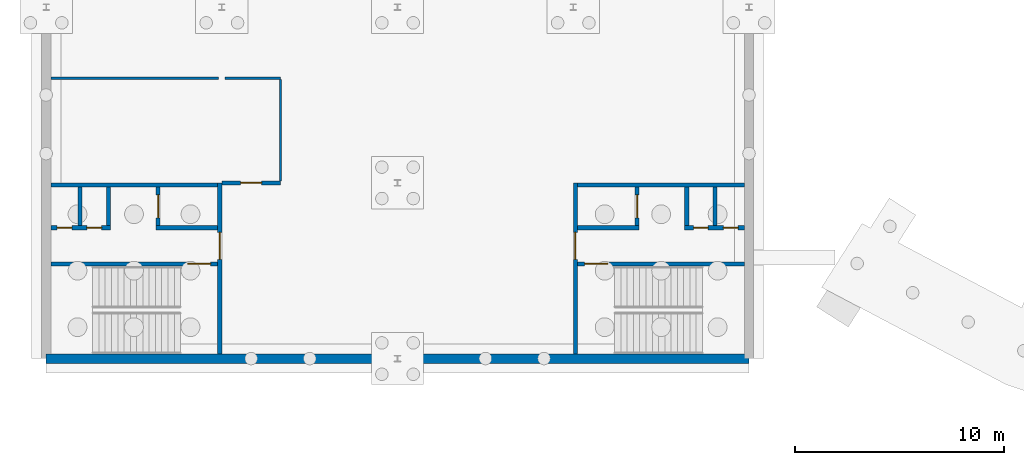
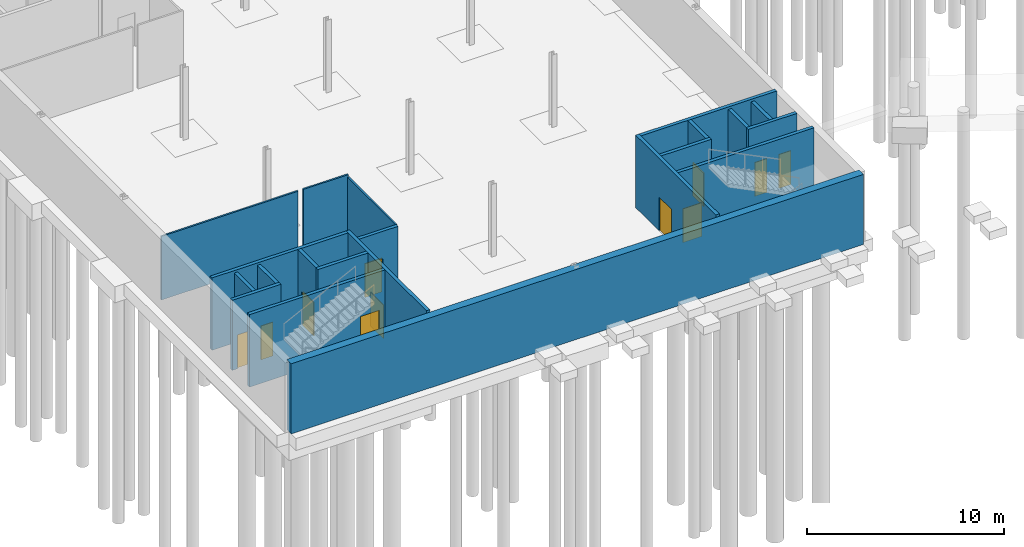
# One storey, part 19 of 35: 21 walls, 11 doors, 11 openings.
"""IFC4 building model written with IfcOpenShell, lengths in metres."""

from ifc_helpers import new_model, si_unit, direction, frame, frame_2d, origin, place, context, subcontext, project, spatial, rectangle, extrude, material, layer, layer_set, type_object, element, fill, save


model = new_model("IFC4")

# Units and contexts
model_context = context("Model", 3, precision=1e-05, world=origin(), true_north=direction((0.0, 1.0)))
body_context = subcontext(model_context, "Body", "Model", "MODEL_VIEW")
ifc_project = project(units=[si_unit("LENGTHUNIT", "METRE"), si_unit("AREAUNIT", "SQUARE_METRE"), si_unit("VOLUMEUNIT", "CUBIC_METRE"), si_unit("PLANEANGLEUNIT", "RADIAN"), si_unit("MASSUNIT", "GRAM", prefix="KILO")], contexts=[model_context])

# Site, building, storey
site_placement = place(None, origin())
site = spatial("IfcSite", under=ifc_project, at=site_placement, CompositionType="ELEMENT")
building_placement = place(site_placement, origin())
building = spatial("IfcBuilding", under=site, at=building_placement, Name="Ardhachandra Cancer Care Centre", CompositionType="ELEMENT")
storey_placement = place(building_placement, frame((0.0, 0.0, -4.5)))
storey = spatial("IfcBuildingStorey", under=building, at=storey_placement, Name="B1", CompositionType="ELEMENT", Elevation=-4.5)

# Wall, opening, door
ifc_material_1 = material(Name="Gypsum board corridor partition on steel studs", Category="steel")
ifc_layer_1 = layer(ifc_material_1, 0.199951171875)
ifc_layer_set_1 = layer_set([ifc_layer_1], Name="Gypsum board corridor partition on steel studs")
wall_type_1 = type_object("IfcWallType", Name="CORRIDOR WALL 200 EI 120", PredefinedType="PARTITIONING", material=ifc_layer_set_1)
wall_1_placement = place(storey_placement, frame((19.199951171875, 37.800048828125, 0.0), z_axis=(0.0, 0.0, 1.0), x_axis=(1.0, 0.0, 0.0)))
wall_1 = element("IfcWall", 1, at=wall_1_placement, inside=storey, type_object=wall_type_1, Name="R/wall/B1/h0037800_0019200", PredefinedType="PARTITIONING", context=body_context, shape_type="SweptSolid", body=[
    extrude(rectangle(XDim=2.800048828125, YDim=0.199951171875, at=frame_2d((1.39990234375, 0.0))), origin(), (0.0, 0.0, 1.0), 3.800048828125),
])
opening_1_placement = place(wall_1_placement, frame((0.89990234375, 0.0, 0.0)))
opening_1 = element("IfcOpeningElement", 2, at=opening_1_placement, cuts=wall_1, Name="Opening B1-0001", PredefinedType="OPENING", context=body_context, shape_type="SweptSolid", body=[
    extrude(rectangle(XDim=1.0, YDim=2.10009765625, at=frame_2d((0.5, 1.050048828125))), frame((0.0, 0.10986328125, 0.0), z_axis=(0.0, -1.0, 0.0), x_axis=(1.0, 0.0, 0.0)), (0.0, 0.0, 1.0), 0.219970703125),
])
ifc_material_2 = material(Name="Steel fire door", Category="steel")
door_type_1 = type_object("IfcDoorType", Name="FIRE DOOR SINGLE 1000x2100 FD60", OperationType="NOTDEFINED", PredefinedType="DOOR", material=ifc_material_2)
door_1_placement = place(opening_1_placement, origin())
door_1 = element("IfcDoor", 3, at=door_1_placement, inside=storey, type_object=door_type_1, Name="Door B1-0001", OperationType="SINGLE_SWING_RIGHT", OverallHeight=2.10009765625, OverallWidth=1.0, PredefinedType="DOOR", context=body_context, shape_type="SweptSolid", body=[
    extrude(rectangle(XDim=1.0, YDim=2.10009765625, at=frame_2d((0.5, 1.050048828125))), frame((0.0, 0.02490234375, 0.0), z_axis=(0.0, -1.0, 0.0), x_axis=(1.0, 0.0, 0.0)), (0.0, 0.0, 1.0), 0.050048828125),
])
fill(opening_1, door_1)

ifc_material_3 = material(Name="Concrete M40", Category="concrete")
ifc_layer_2 = layer(ifc_material_3, 0.199951171875)
ifc_layer_set_2 = layer_set([ifc_layer_2], Name="Concrete M40")
wall_type_2 = type_object("IfcWallType", Name="Core wall RC 200", PredefinedType="SOLIDWALL", material=ifc_layer_set_2)
wall_2_placement = place(storey_placement, frame((19.10009765625, 29.625, 0.0), z_axis=(0.0, 0.0, 1.0), x_axis=(0.0, 1.0, 0.0)))
wall_2 = element("IfcWall", 4, at=wall_2_placement, inside=storey, type_object=wall_type_2, Name="Core wall K1 ENT", PredefinedType="SOLIDWALL", context=body_context, shape_type="SweptSolid", body=[
    extrude(rectangle(XDim=8.175048828125, YDim=0.199951171875, at=frame_2d((4.08740234375, 0.0))), origin(), (0.0, 0.0, 1.0), 4.5),
])
opening_2_placement = place(wall_2_placement, frame((4.512451171875, 0.0, 0.0)))
opening_2 = element("IfcOpeningElement", 5, at=opening_2_placement, cuts=wall_2, Name="Opening B1-K01-1", PredefinedType="OPENING", context=body_context, shape_type="SweptSolid", body=[
    extrude(rectangle(XDim=1.300048828125, YDim=2.10009765625, at=frame_2d((0.64990234375, 1.050048828125))), frame((0.0, 0.10986328125, 0.0), z_axis=(0.0, -1.0, 0.0), x_axis=(1.0, 0.0, 0.0)), (0.0, 0.0, 1.0), 0.219970703125),
])
ifc_material_4 = material(Name="Steel door set", Category="steel")
door_type_2 = type_object("IfcDoorType", Name="Core entry double door 1300x2100 FD60", OperationType="DOUBLE_DOOR_DOUBLE_SWING", PredefinedType="DOOR", material=ifc_material_4)
door_2_placement = place(opening_2_placement, origin())
door_2 = element("IfcDoor", 6, at=door_2_placement, inside=storey, type_object=door_type_2, Name="Core entry door", OperationType="DOUBLE_DOOR_DOUBLE_SWING", OverallHeight=2.10009765625, OverallWidth=1.300048828125, PredefinedType="DOOR", context=body_context, shape_type="SweptSolid", body=[
    extrude(rectangle(XDim=1.300048828125, YDim=2.10009765625, at=frame_2d((0.64990234375, 1.050048828125))), frame((0.0, 0.02490234375, 0.0), z_axis=(0.0, -1.0, 0.0), x_axis=(1.0, 0.0, 0.0)), (0.0, 0.0, 1.0), 0.050048828125),
])
fill(opening_2, door_2)

# Wall
wall_3_placement = place(storey_placement, frame((19.0, 37.699951171875, 0.0), z_axis=(0.0, 0.0, 1.0), x_axis=(-1.0, 0.0, 0.0)))
element("IfcWall", 7, at=wall_3_placement, inside=storey, type_object=wall_type_2, Name="Core wall K1 UE", PredefinedType="SOLIDWALL", context=body_context, shape_type="SweptSolid", body=[
    extrude(rectangle(XDim=7.97509765625, YDim=0.199951171875, at=frame_2d((3.987548828125, 0.0))), origin(), (0.0, 0.0, 1.0), 4.5),
])

# Wall, opening, door
wall_4_placement = place(storey_placement, frame((19.0, 33.925048828125, 0.0), z_axis=(0.0, 0.0, 1.0), x_axis=(-1.0, 0.0, 0.0)))
wall_4 = element("IfcWall", 8, at=wall_4_placement, inside=storey, type_object=wall_type_2, Name="Core wall K1 P1", PredefinedType="SOLIDWALL", context=body_context, shape_type="SweptSolid", body=[
    extrude(rectangle(XDim=7.97509765625, YDim=0.199951171875, at=frame_2d((3.987548828125, 0.0))), origin(), (0.0, 0.0, 1.0), 4.5),
])
opening_3_placement = place(wall_4_placement, frame((0.33740234375, 0.0, 0.0)))
opening_3 = element("IfcOpeningElement", 9, at=opening_3_placement, cuts=wall_4, Name="Opening B1-K01-2", PredefinedType="OPENING", context=body_context, shape_type="SweptSolid", body=[
    extrude(rectangle(XDim=1.10009765625, YDim=2.10009765625, at=frame_2d((0.550048828125, 1.050048828125))), frame((0.0, 0.10986328125, 0.0), z_axis=(0.0, -1.0, 0.0), x_axis=(1.0, 0.0, 0.0)), (0.0, 0.0, 1.0), 0.219970703125),
])
ifc_material_5 = material(Name="Steel door set", Category="steel")
door_type_3 = type_object("IfcDoorType", Name="Stair door 1100x2100 FD60S", OperationType="NOTDEFINED", PredefinedType="DOOR", material=ifc_material_5)
door_3_placement = place(opening_3_placement, origin())
door_3 = element("IfcDoor", 10, at=door_3_placement, inside=storey, type_object=door_type_3, Name="Stair door", OperationType="SINGLE_SWING_LEFT", OverallHeight=2.10009765625, OverallWidth=1.10009765625, PredefinedType="DOOR", context=body_context, shape_type="SweptSolid", body=[
    extrude(rectangle(XDim=1.10009765625, YDim=2.10009765625, at=frame_2d((0.550048828125, 1.050048828125))), frame((0.0, 0.02490234375, 0.0), z_axis=(0.0, -1.0, 0.0), x_axis=(1.0, 0.0, 0.0)), (0.0, 0.0, 1.0), 0.050048828125),
])
fill(opening_3, door_3)

# Wall
wall_5_placement = place(storey_placement, frame((19.0, 35.64990234375, 0.0), z_axis=(0.0, 0.0, 1.0), x_axis=(-1.0, 0.0, 0.0)))
element("IfcWall", 11, at=wall_5_placement, inside=storey, type_object=wall_type_2, Name="Core wall K1 P2A", PredefinedType="SOLIDWALL", context=body_context, shape_type="SweptSolid", body=[
    extrude(rectangle(XDim=2.949951171875, YDim=0.199951171875, at=frame_2d((1.47509765625, 0.0))), origin(), (0.0, 0.0, 1.0), 4.5),
])

# Wall, openings, doors
wall_6_placement = place(storey_placement, frame((13.875, 35.64990234375, 0.0), z_axis=(0.0, 0.0, 1.0), x_axis=(-1.0, 0.0, 0.0)))
wall_6 = element("IfcWall", 12, at=wall_6_placement, inside=storey, type_object=wall_type_2, Name="Core wall K1 P2B", PredefinedType="SOLIDWALL", context=body_context, shape_type="SweptSolid", body=[
    extrude(rectangle(XDim=2.85009765625, YDim=0.199951171875, at=frame_2d((1.425048828125, 0.0))), origin(), (0.0, 0.0, 1.0), 4.35009765625),
])
opening_4_placement = place(wall_6_placement, frame((0.425048828125, 0.0, 0.0)))
opening_4 = element("IfcOpeningElement", 13, at=opening_4_placement, cuts=wall_6, Name="Opening B1-K01-4", PredefinedType="OPENING", context=body_context, shape_type="SweptSolid", body=[
    extrude(rectangle(XDim=0.699951171875, YDim=2.10009765625, at=frame_2d((0.35009765625, 1.050048828125))), frame((0.0, 0.10986328125, 0.0), z_axis=(0.0, -1.0, 0.0), x_axis=(1.0, 0.0, 0.0)), (0.0, 0.0, 1.0), 0.219970703125),
])
opening_5_placement = place(wall_6_placement, frame((1.85009765625, 0.0, 0.0)))
opening_5 = element("IfcOpeningElement", 14, at=opening_5_placement, cuts=wall_6, Name="Opening B1-K01-5", PredefinedType="OPENING", context=body_context, shape_type="SweptSolid", body=[
    extrude(rectangle(XDim=0.699951171875, YDim=2.10009765625, at=frame_2d((0.35009765625, 1.050048828125))), frame((0.0, 0.10986328125, 0.0), z_axis=(0.0, -1.0, 0.0), x_axis=(1.0, 0.0, 0.0)), (0.0, 0.0, 1.0), 0.219970703125),
])
ifc_material_6 = material(Name="Steel door set", Category="steel")
door_type_4 = type_object("IfcDoorType", Name="Riser access door 700x2100 FD120S", OperationType="NOTDEFINED", PredefinedType="DOOR", material=ifc_material_6)
door_4_placement = place(opening_4_placement, origin())
door_4 = element("IfcDoor", 15, at=door_4_placement, inside=storey, type_object=door_type_4, Name="Riser access door", OperationType="SINGLE_SWING_LEFT", OverallHeight=2.10009765625, OverallWidth=0.699951171875, PredefinedType="DOOR", context=body_context, shape_type="SweptSolid", body=[
    extrude(rectangle(XDim=0.699951171875, YDim=2.10009765625, at=frame_2d((0.35009765625, 1.050048828125))), frame((0.0, 0.02490234375, 0.0), z_axis=(0.0, -1.0, 0.0), x_axis=(1.0, 0.0, 0.0)), (0.0, 0.0, 1.0), 0.050048828125),
])
fill(opening_4, door_4)
door_5_placement = place(opening_5_placement, origin())
door_5 = element("IfcDoor", 16, at=door_5_placement, inside=storey, type_object=door_type_4, Name="Riser access door", OperationType="SINGLE_SWING_RIGHT", OverallHeight=2.10009765625, OverallWidth=0.699951171875, PredefinedType="DOOR", context=body_context, shape_type="SweptSolid", body=[
    extrude(rectangle(XDim=0.699951171875, YDim=2.10009765625, at=frame_2d((0.35009765625, 1.050048828125))), frame((0.0, 0.02490234375, 0.0), z_axis=(0.0, -1.0, 0.0), x_axis=(1.0, 0.0, 0.0)), (0.0, 0.0, 1.0), 0.050048828125),
])
fill(opening_5, door_5)

# Wall, opening, door
wall_7_placement = place(storey_placement, frame((16.14990234375, 35.75, 0.0), z_axis=(0.0, 0.0, 1.0), x_axis=(0.0, 1.0, 0.0)))
wall_7 = element("IfcWall", 17, at=wall_7_placement, inside=storey, type_object=wall_type_2, Name="Core wall K1 W1", PredefinedType="SOLIDWALL", context=body_context, shape_type="SweptSolid", body=[
    extrude(rectangle(XDim=1.85009765625, YDim=0.199951171875, at=frame_2d((0.925048828125, 0.0))), origin(), (0.0, 0.0, 1.0), 4.5),
])
opening_6_placement = place(wall_7_placement, frame((0.375, 0.0, 0.0)))
opening_6 = element("IfcOpeningElement", 18, at=opening_6_placement, cuts=wall_7, Name="Opening B1-K01-3", PredefinedType="OPENING", context=body_context, shape_type="SweptSolid", body=[
    extrude(rectangle(XDim=1.10009765625, YDim=2.10009765625, at=frame_2d((0.550048828125, 1.050048828125))), frame((0.0, 0.10986328125, 0.0), z_axis=(0.0, -1.0, 0.0), x_axis=(1.0, 0.0, 0.0)), (0.0, 0.0, 1.0), 0.219970703125),
])
ifc_material_7 = material(Name="Stainless steel (grade 304)", Category="steel")
door_type_5 = type_object("IfcDoorType", Name="Lift landing door 1100x2100", OperationType="DOUBLE_DOOR_SLIDING", PredefinedType="DOOR", material=ifc_material_7)
door_6_placement = place(opening_6_placement, origin())
door_6 = element("IfcDoor", 19, at=door_6_placement, inside=storey, type_object=door_type_5, Name="Lift landing door LF-K1-1", OperationType="DOUBLE_DOOR_SLIDING", OverallHeight=2.10009765625, OverallWidth=1.10009765625, PredefinedType="DOOR", context=body_context, shape_type="SweptSolid", body=[
    extrude(rectangle(XDim=1.10009765625, YDim=2.10009765625, at=frame_2d((0.550048828125, 1.050048828125))), frame((0.0, 0.02490234375, 0.0), z_axis=(0.0, -1.0, 0.0), x_axis=(1.0, 0.0, 0.0)), (0.0, 0.0, 1.0), 0.050048828125),
])
fill(opening_6, door_6)

# Walls
for number, where, z_axis, x_axis, name in (
    (20, (13.77490234375, 35.75, 0.0), (0.0, 0.0, 1.0), (0.0, 1.0, 0.0), "Core wall K1 W2"),
    (21, (12.425048828125, 35.75, 0.0), (0.0, 0.0, 1.0), (0.0, 1.0, 0.0), "Core wall K1 DIV"),
):
    element("IfcWall", number, at=place(storey_placement, frame(where, z_axis=z_axis, x_axis=x_axis)), inside=storey, type_object=wall_type_2, Name=name, PredefinedType="SOLIDWALL", context=body_context, shape_type="SweptSolid", body=[
        extrude(rectangle(XDim=1.85009765625, YDim=0.199951171875, at=frame_2d((0.925048828125, 0.0))), origin(), (0.0, 0.0, 1.0), 4.35009765625),
    ])

# Wall, opening, door
wall_8_placement = place(storey_placement, frame((36.10009765625, 29.625, 0.0), z_axis=(0.0, 0.0, 1.0), x_axis=(0.0, 1.0, 0.0)))
wall_8 = element("IfcWall", 22, at=wall_8_placement, inside=storey, type_object=wall_type_2, Name="Core wall K2 ENT", PredefinedType="SOLIDWALL", context=body_context, shape_type="SweptSolid", body=[
    extrude(rectangle(XDim=8.175048828125, YDim=0.199951171875, at=frame_2d((4.08740234375, 0.0))), origin(), (0.0, 0.0, 1.0), 4.5),
])
opening_7_placement = place(wall_8_placement, frame((4.512451171875, 0.0, 0.0)))
opening_7 = element("IfcOpeningElement", 23, at=opening_7_placement, cuts=wall_8, Name="Opening B1-K02-1", PredefinedType="OPENING", context=body_context, shape_type="SweptSolid", body=[
    extrude(rectangle(XDim=1.300048828125, YDim=2.10009765625, at=frame_2d((0.64990234375, 1.050048828125))), frame((0.0, 0.10986328125, 0.0), z_axis=(0.0, -1.0, 0.0), x_axis=(1.0, 0.0, 0.0)), (0.0, 0.0, 1.0), 0.219970703125),
])
door_7_placement = place(opening_7_placement, origin())
door_7 = element("IfcDoor", 24, at=door_7_placement, inside=storey, type_object=door_type_2, Name="Core entry door", OperationType="DOUBLE_DOOR_DOUBLE_SWING", OverallHeight=2.10009765625, OverallWidth=1.300048828125, PredefinedType="DOOR", context=body_context, shape_type="SweptSolid", body=[
    extrude(rectangle(XDim=1.300048828125, YDim=2.10009765625, at=frame_2d((0.64990234375, 1.050048828125))), frame((0.0, 0.02490234375, 0.0), z_axis=(0.0, -1.0, 0.0), x_axis=(1.0, 0.0, 0.0)), (0.0, 0.0, 1.0), 0.050048828125),
])
fill(opening_7, door_7)

# Wall
wall_9_placement = place(storey_placement, frame((36.199951171875, 37.699951171875, 0.0), z_axis=(0.0, 0.0, 1.0), x_axis=(1.0, 0.0, 0.0)))
element("IfcWall", 25, at=wall_9_placement, inside=storey, type_object=wall_type_2, Name="Core wall K2 UE", PredefinedType="SOLIDWALL", context=body_context, shape_type="SweptSolid", body=[
    extrude(rectangle(XDim=7.97509765625, YDim=0.199951171875, at=frame_2d((3.987548828125, 0.0))), origin(), (0.0, 0.0, 1.0), 4.5),
])

# Wall, opening, door
wall_10_placement = place(storey_placement, frame((36.199951171875, 33.925048828125, 0.0), z_axis=(0.0, 0.0, 1.0), x_axis=(1.0, 0.0, 0.0)))
wall_10 = element("IfcWall", 26, at=wall_10_placement, inside=storey, type_object=wall_type_2, Name="Core wall K2 P1", PredefinedType="SOLIDWALL", context=body_context, shape_type="SweptSolid", body=[
    extrude(rectangle(XDim=7.97509765625, YDim=0.199951171875, at=frame_2d((3.987548828125, 0.0))), origin(), (0.0, 0.0, 1.0), 4.5),
])
opening_8_placement = place(wall_10_placement, frame((0.33740234375, 0.0, 0.0)))
opening_8 = element("IfcOpeningElement", 27, at=opening_8_placement, cuts=wall_10, Name="Opening B1-K02-2", PredefinedType="OPENING", context=body_context, shape_type="SweptSolid", body=[
    extrude(rectangle(XDim=1.10009765625, YDim=2.10009765625, at=frame_2d((0.550048828125, 1.050048828125))), frame((0.0, 0.10986328125, 0.0), z_axis=(0.0, -1.0, 0.0), x_axis=(1.0, 0.0, 0.0)), (0.0, 0.0, 1.0), 0.219970703125),
])
door_8_placement = place(opening_8_placement, origin())
door_8 = element("IfcDoor", 28, at=door_8_placement, inside=storey, type_object=door_type_3, Name="Stair door", OperationType="SINGLE_SWING_RIGHT", OverallHeight=2.10009765625, OverallWidth=1.10009765625, PredefinedType="DOOR", context=body_context, shape_type="SweptSolid", body=[
    extrude(rectangle(XDim=1.10009765625, YDim=2.10009765625, at=frame_2d((0.550048828125, 1.050048828125))), frame((0.0, 0.02490234375, 0.0), z_axis=(0.0, -1.0, 0.0), x_axis=(1.0, 0.0, 0.0)), (0.0, 0.0, 1.0), 0.050048828125),
])
fill(opening_8, door_8)

# Wall
wall_11_placement = place(storey_placement, frame((36.199951171875, 35.64990234375, 0.0), z_axis=(0.0, 0.0, 1.0), x_axis=(1.0, 0.0, 0.0)))
element("IfcWall", 29, at=wall_11_placement, inside=storey, type_object=wall_type_2, Name="Core wall K2 P2A", PredefinedType="SOLIDWALL", context=body_context, shape_type="SweptSolid", body=[
    extrude(rectangle(XDim=2.949951171875, YDim=0.199951171875, at=frame_2d((1.47509765625, 0.0))), origin(), (0.0, 0.0, 1.0), 4.5),
])

# Wall, openings, doors
wall_12_placement = place(storey_placement, frame((41.324951171875, 35.64990234375, 0.0), z_axis=(0.0, 0.0, 1.0), x_axis=(1.0, 0.0, 0.0)))
wall_12 = element("IfcWall", 30, at=wall_12_placement, inside=storey, type_object=wall_type_2, Name="Core wall K2 P2B", PredefinedType="SOLIDWALL", context=body_context, shape_type="SweptSolid", body=[
    extrude(rectangle(XDim=2.85009765625, YDim=0.199951171875, at=frame_2d((1.425048828125, 0.0))), origin(), (0.0, 0.0, 1.0), 4.35009765625),
])
opening_9_placement = place(wall_12_placement, frame((0.425048828125, 0.0, 0.0)))
opening_9 = element("IfcOpeningElement", 31, at=opening_9_placement, cuts=wall_12, Name="Opening B1-K02-4", PredefinedType="OPENING", context=body_context, shape_type="SweptSolid", body=[
    extrude(rectangle(XDim=0.699951171875, YDim=2.10009765625, at=frame_2d((0.35009765625, 1.050048828125))), frame((0.0, 0.10986328125, 0.0), z_axis=(0.0, -1.0, 0.0), x_axis=(1.0, 0.0, 0.0)), (0.0, 0.0, 1.0), 0.219970703125),
])
opening_10_placement = place(wall_12_placement, frame((1.85009765625, 0.0, 0.0)))
opening_10 = element("IfcOpeningElement", 32, at=opening_10_placement, cuts=wall_12, Name="Opening B1-K02-5", PredefinedType="OPENING", context=body_context, shape_type="SweptSolid", body=[
    extrude(rectangle(XDim=0.699951171875, YDim=2.10009765625, at=frame_2d((0.35009765625, 1.050048828125))), frame((0.0, 0.10986328125, 0.0), z_axis=(0.0, -1.0, 0.0), x_axis=(1.0, 0.0, 0.0)), (0.0, 0.0, 1.0), 0.219970703125),
])
door_9_placement = place(opening_9_placement, origin())
door_9 = element("IfcDoor", 33, at=door_9_placement, inside=storey, type_object=door_type_4, Name="Riser access door", OperationType="SINGLE_SWING_RIGHT", OverallHeight=2.10009765625, OverallWidth=0.699951171875, PredefinedType="DOOR", context=body_context, shape_type="SweptSolid", body=[
    extrude(rectangle(XDim=0.699951171875, YDim=2.10009765625, at=frame_2d((0.35009765625, 1.050048828125))), frame((0.0, 0.02490234375, 0.0), z_axis=(0.0, -1.0, 0.0), x_axis=(1.0, 0.0, 0.0)), (0.0, 0.0, 1.0), 0.050048828125),
])
fill(opening_9, door_9)
door_10_placement = place(opening_10_placement, origin())
door_10 = element("IfcDoor", 34, at=door_10_placement, inside=storey, type_object=door_type_4, Name="Riser access door", OperationType="SINGLE_SWING_LEFT", OverallHeight=2.10009765625, OverallWidth=0.699951171875, PredefinedType="DOOR", context=body_context, shape_type="SweptSolid", body=[
    extrude(rectangle(XDim=0.699951171875, YDim=2.10009765625, at=frame_2d((0.35009765625, 1.050048828125))), frame((0.0, 0.02490234375, 0.0), z_axis=(0.0, -1.0, 0.0), x_axis=(1.0, 0.0, 0.0)), (0.0, 0.0, 1.0), 0.050048828125),
])
fill(opening_10, door_10)

# Wall, opening, door
wall_13_placement = place(storey_placement, frame((39.050048828125, 35.75, 0.0), z_axis=(0.0, 0.0, 1.0), x_axis=(0.0, 1.0, 0.0)))
wall_13 = element("IfcWall", 35, at=wall_13_placement, inside=storey, type_object=wall_type_2, Name="Core wall K2 W1", PredefinedType="SOLIDWALL", context=body_context, shape_type="SweptSolid", body=[
    extrude(rectangle(XDim=1.85009765625, YDim=0.199951171875, at=frame_2d((0.925048828125, 0.0))), origin(), (0.0, 0.0, 1.0), 4.5),
])
opening_11_placement = place(wall_13_placement, frame((0.375, 0.0, 0.0)))
opening_11 = element("IfcOpeningElement", 36, at=opening_11_placement, cuts=wall_13, Name="Opening B1-K02-3", PredefinedType="OPENING", context=body_context, shape_type="SweptSolid", body=[
    extrude(rectangle(XDim=1.10009765625, YDim=2.10009765625, at=frame_2d((0.550048828125, 1.050048828125))), frame((0.0, 0.10986328125, 0.0), z_axis=(0.0, -1.0, 0.0), x_axis=(1.0, 0.0, 0.0)), (0.0, 0.0, 1.0), 0.219970703125),
])
door_11_placement = place(opening_11_placement, origin())
door_11 = element("IfcDoor", 37, at=door_11_placement, inside=storey, type_object=door_type_5, Name="Lift landing door LF-K2-1", OperationType="DOUBLE_DOOR_SLIDING", OverallHeight=2.10009765625, OverallWidth=1.10009765625, PredefinedType="DOOR", context=body_context, shape_type="SweptSolid", body=[
    extrude(rectangle(XDim=1.10009765625, YDim=2.10009765625, at=frame_2d((0.550048828125, 1.050048828125))), frame((0.0, 0.02490234375, 0.0), z_axis=(0.0, -1.0, 0.0), x_axis=(1.0, 0.0, 0.0)), (0.0, 0.0, 1.0), 0.050048828125),
])
fill(opening_11, door_11)

# Walls
for number, where, z_axis, x_axis, name in (
    (38, (41.425048828125, 35.75, 0.0), (0.0, 0.0, 1.0), (0.0, 1.0, 0.0), "Core wall K2 W2"),
    (39, (42.77490234375, 35.75, 0.0), (0.0, 0.0, 1.0), (0.0, 1.0, 0.0), "Core wall K2 DIV"),
):
    element("IfcWall", number, at=place(storey_placement, frame(where, z_axis=z_axis, x_axis=x_axis)), inside=storey, type_object=wall_type_2, Name=name, PredefinedType="SOLIDWALL", context=body_context, shape_type="SweptSolid", body=[
        extrude(rectangle(XDim=1.85009765625, YDim=0.199951171875, at=frame_2d((0.925048828125, 0.0))), origin(), (0.0, 0.0, 1.0), 4.35009765625),
    ])
ifc_material_8 = material(Name="Concrete M40", Category="concrete")
ifc_layer_3 = layer(ifc_material_8, 0.449951171875)
ifc_layer_set_3 = layer_set([ifc_layer_3], Name="Concrete M40")
wall_type_3 = type_object("IfcWallType", Name="Retaining wall 450", PredefinedType="SOLIDWALL", material=ifc_layer_set_3)
wall_14_placement = place(storey_placement, frame((10.800048828125, 29.39990234375, 0.0), z_axis=(0.0, 0.0, 1.0), x_axis=(1.0, 0.0, 0.0)))
element("IfcWall", 40, at=wall_14_placement, inside=storey, type_object=wall_type_3, Name="Basement retaining wall 10", PredefinedType="SOLIDWALL", context=body_context, shape_type="SweptSolid", body=[
    extrude(rectangle(XDim=33.599853515625, YDim=0.449951171875, at=frame_2d((16.7998046875, 0.0))), origin(), (0.0, 0.0, 1.0), 4.35009765625),
])
ifc_material_9 = material(Name="Concrete block masonry", Category="masonry")
ifc_layer_4 = layer(ifc_material_9, 0.10009765625)
ifc_layer_set_4 = layer_set([ifc_layer_4], Name="Concrete block masonry")
wall_type_4 = type_object("IfcWallType", Name="STORE PARTITION 100", PredefinedType="SOLIDWALL", material=ifc_layer_set_4)
wall_15_placement = place(storey_placement, frame((11.02490234375, 42.800048828125, 0.0), z_axis=(0.0, 0.0, 1.0), x_axis=(1.0, 0.0, 0.0)))
element("IfcWall", 41, at=wall_15_placement, inside=storey, type_object=wall_type_4, Name="R/wall/B1/h0042800_0011025", PredefinedType="SOLIDWALL", context=body_context, shape_type="SweptSolid", body=[
    extrude(rectangle(XDim=8.025146484375, YDim=0.10009765625, at=frame_2d((4.0126953125, 0.0))), origin(), (0.0, 0.0, 1.0), 3.949951171875),
])
wall_16_placement = place(storey_placement, frame((19.35009765625, 42.800048828125, 0.0), z_axis=(0.0, 0.0, 1.0), x_axis=(1.0, 0.0, 0.0)))
element("IfcWall", 42, at=wall_16_placement, inside=storey, type_object=wall_type_4, Name="R/wall/B1/h0042800_0019350", PredefinedType="SOLIDWALL", context=body_context, shape_type="SweptSolid", body=[
    extrude(rectangle(XDim=2.64990234375, YDim=0.10009765625, at=frame_2d((1.324951171875, 0.0))), origin(), (0.0, 0.0, 1.0), 3.949951171875),
])
wall_17_placement = place(storey_placement, frame((22.0, 37.89990234375, 0.0), z_axis=(0.0, 0.0, 1.0), x_axis=(0.0, 1.0, 0.0)))
element("IfcWall", 43, at=wall_17_placement, inside=storey, type_object=wall_type_4, Name="R/wall/B1/v0022000_0037900", PredefinedType="SOLIDWALL", context=body_context, shape_type="SweptSolid", body=[
    extrude(rectangle(XDim=4.85009765625, YDim=0.10009765625, at=frame_2d((2.425048828125, 0.0))), origin(), (0.0, 0.0, 1.0), 3.800048828125),
])

save(model, "model.ifc")
